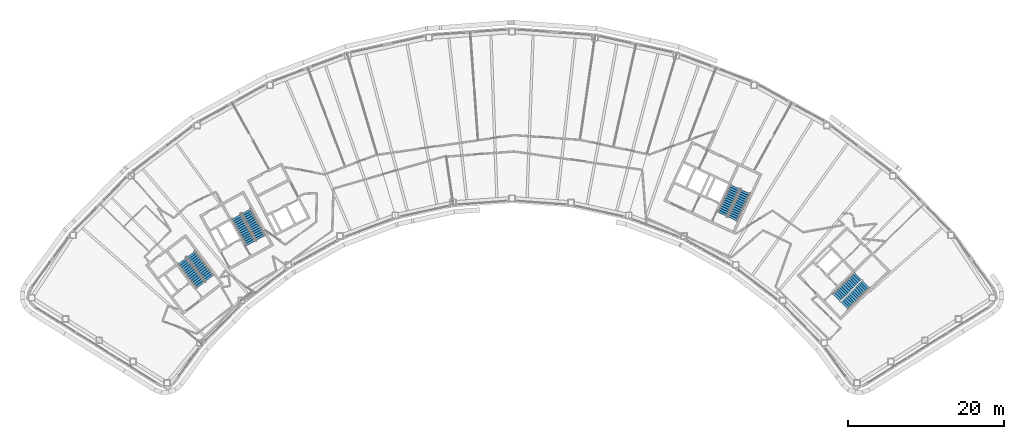
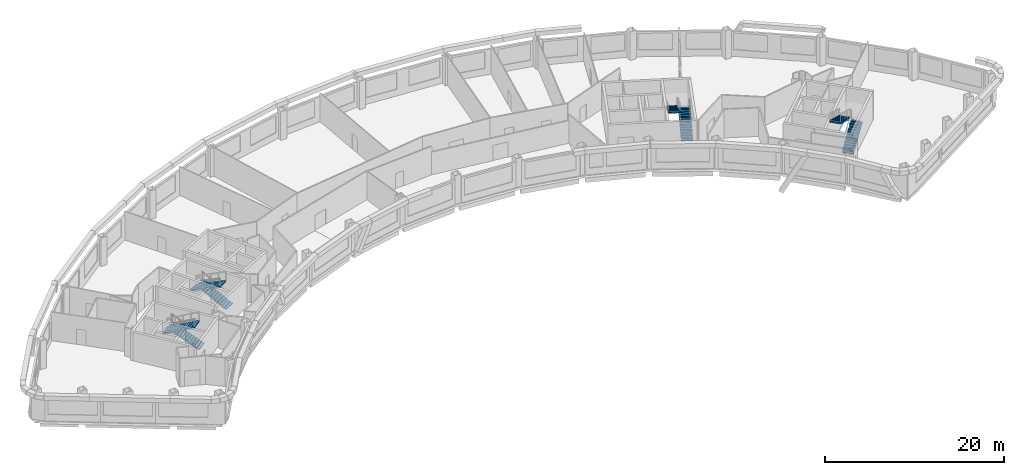
# One storey, part 11 of 13: 8 stair flights, 4 elements without a shape of their own.
"""IFC4 building model written with IfcOpenShell, lengths in metres."""

from ifc_helpers import new_model, si_unit, direction, frame, origin, place, context, subcontext, project, spatial, polyline, outline, extrude, material, type_object, element, aggregate, save


model = new_model("IFC4")

# Units and contexts
model_context = context("Model", 3, precision=1e-05, world=origin(), true_north=direction((0.0, 1.0)))
body_context = subcontext(model_context, "Body", "Model", "MODEL_VIEW")
ifc_project = project(units=[si_unit("LENGTHUNIT", "METRE"), si_unit("AREAUNIT", "SQUARE_METRE"), si_unit("VOLUMEUNIT", "CUBIC_METRE"), si_unit("PLANEANGLEUNIT", "RADIAN"), si_unit("MASSUNIT", "GRAM", prefix="KILO")], contexts=[model_context])

# Site, building, storey
site_placement = place(None, origin())
site = spatial("IfcSite", under=ifc_project, at=site_placement, CompositionType="ELEMENT")
building_placement = place(site_placement, origin())
building = spatial("IfcBuilding", under=site, at=building_placement, Name="Tuul Gate Civic Tower", CompositionType="ELEMENT")
storey_placement = place(building_placement, frame((0.0, 0.0, 230.5)))
storey = spatial("IfcBuildingStorey", under=building, at=storey_placement, Name="Level 52", CompositionType="ELEMENT", Elevation=230.5)

# Stair, stair flights
ifc_material_1 = material(Name="Concrete C40/50", Category="concrete")
stair_type = type_object("IfcStairType", Name="Exit stair", PredefinedType="HALF_TURN_STAIR", material=ifc_material_1)
stair_1_placement = place(storey_placement, origin())
stair_1 = element("IfcStair", 1, at=stair_1_placement, inside=storey, type_object=stair_type, Name="Level 52 ST-1", PredefinedType="HALF_TURN_STAIR")
ifc_material_2 = material(Name="Concrete C40/50", Category="concrete")
stair_flight_type = type_object("IfcStairFlightType", Name="Exit stair flight", PredefinedType="STRAIGHT", material=ifc_material_2)
stair_flight_1_placement = place(storey_placement, frame((-32.875244140625, -13.066650390625, 0.0), z_axis=(0.0, 0.0, 1.0), x_axis=(-0.605764474941, 0.795644016442, 0.0)))
stair_flight_1 = element("IfcStairFlight", 2, at=stair_flight_1_placement, type_object=stair_flight_type, Name="ST-1 flight 1", NumberOfRisers=14, NumberOfTreads=13, PredefinedType="STRAIGHT", RiserHeight=0.15, TreadLength=0.3, context=body_context, shape_type="SweptSolid", body=[
    extrude(outline(polyline([(0.0, 0.0), (0.0, 0.14990234375), (0.300048828125, 0.14990234375), (0.300048828125, 0.300048828125), (0.60009765625, 0.300048828125), (0.60009765625, 0.449951171875), (0.89990234375, 0.449951171875), (0.89990234375, 0.60009765625), (1.199951171875, 0.60009765625), (1.199951171875, 0.75), (1.5, 0.75), (1.5, 0.89990234375), (1.800048828125, 0.89990234375), (1.800048828125, 1.050048828125), (2.10009765625, 1.050048828125), (2.10009765625, 1.199951171875), (2.39990234375, 1.199951171875), (2.39990234375, 1.35009765625), (2.699951171875, 1.35009765625), (2.699951171875, 1.5), (3.0, 1.5), (3.0, 1.64990234375), (3.300048828125, 1.64990234375), (3.300048828125, 1.800048828125), (3.60009765625, 1.800048828125), (3.60009765625, 1.949951171875), (3.89990234375, 1.949951171875), (3.89990234375, 2.10009765625), (3.89990234375, 1.782470703125), (0.335205078125, 0.0), (0.0, 0.0)])), frame((0.0, 0.675048828125, 0.0), z_axis=(0.0, -1.0, 0.0), x_axis=(1.0, 0.0, 0.0)), (0.0, 0.0, 1.0), 1.35009765625),
])
stair_flight_2_placement = place(storey_placement, frame((-36.391357421875, -10.842041015625, 2.10009765625), z_axis=(0.0, 0.0, 1.0), x_axis=(0.605764474941, -0.795644016442, 0.0)))
stair_flight_2 = element("IfcStairFlight", 3, at=stair_flight_2_placement, type_object=stair_flight_type, Name="ST-1 flight 2", NumberOfRisers=14, NumberOfTreads=13, PredefinedType="STRAIGHT", RiserHeight=0.15, TreadLength=0.3, context=body_context, shape_type="SweptSolid", body=[
    extrude(outline(polyline([(0.0, 0.0), (0.0, 0.14990234375), (0.300048828125, 0.14990234375), (0.300048828125, 0.300048828125), (0.60009765625, 0.300048828125), (0.60009765625, 0.449951171875), (0.89990234375, 0.449951171875), (0.89990234375, 0.60009765625), (1.199951171875, 0.60009765625), (1.199951171875, 0.75), (1.5, 0.75), (1.5, 0.89990234375), (1.800048828125, 0.89990234375), (1.800048828125, 1.050048828125), (2.10009765625, 1.050048828125), (2.10009765625, 1.199951171875), (2.39990234375, 1.199951171875), (2.39990234375, 1.35009765625), (2.699951171875, 1.35009765625), (2.699951171875, 1.5), (3.0, 1.5), (3.0, 1.64990234375), (3.300048828125, 1.64990234375), (3.300048828125, 1.800048828125), (3.60009765625, 1.800048828125), (3.60009765625, 1.949951171875), (3.89990234375, 1.949951171875), (3.89990234375, 2.10009765625), (3.89990234375, 1.782470703125), (0.335205078125, 0.0), (0.0, 0.0)])), frame((0.0, 0.675048828125, 0.0), z_axis=(0.0, -1.0, 0.0), x_axis=(1.0, 0.0, 0.0)), (0.0, 0.0, 1.0), 1.35009765625),
])
aggregate(stair_1, [stair_flight_1, stair_flight_2])

stair_2_placement = place(storey_placement, origin())
stair_2 = element("IfcStair", 4, at=stair_2_placement, inside=storey, type_object=stair_type, Name="Level 52 ST-2", PredefinedType="HALF_TURN_STAIR")
stair_flight_3_placement = place(storey_placement, frame((-26.29150390625, -7.87646484375, 0.0), z_axis=(0.0, 0.0, 1.0), x_axis=(-0.484761763766, 0.874646232708, 0.0)))
stair_flight_3 = element("IfcStairFlight", 5, at=stair_flight_3_placement, type_object=stair_flight_type, Name="ST-2 flight 1", NumberOfRisers=14, NumberOfTreads=13, PredefinedType="STRAIGHT", RiserHeight=0.15, TreadLength=0.3, context=body_context, shape_type="SweptSolid", body=[
    extrude(outline(polyline([(0.0, 0.0), (0.0, 0.14990234375), (0.300048828125, 0.14990234375), (0.300048828125, 0.300048828125), (0.60009765625, 0.300048828125), (0.60009765625, 0.449951171875), (0.89990234375, 0.449951171875), (0.89990234375, 0.60009765625), (1.199951171875, 0.60009765625), (1.199951171875, 0.75), (1.5, 0.75), (1.5, 0.89990234375), (1.800048828125, 0.89990234375), (1.800048828125, 1.050048828125), (2.10009765625, 1.050048828125), (2.10009765625, 1.199951171875), (2.39990234375, 1.199951171875), (2.39990234375, 1.35009765625), (2.699951171875, 1.35009765625), (2.699951171875, 1.5), (3.0, 1.5), (3.0, 1.64990234375), (3.300048828125, 1.64990234375), (3.300048828125, 1.800048828125), (3.60009765625, 1.800048828125), (3.60009765625, 1.949951171875), (3.89990234375, 1.949951171875), (3.89990234375, 2.10009765625), (3.89990234375, 1.782470703125), (0.335205078125, 0.0), (0.0, 0.0)])), frame((0.0, 0.675048828125, 0.0), z_axis=(0.0, -1.0, 0.0), x_axis=(1.0, 0.0, 0.0)), (0.0, 0.0, 1.0), 1.35009765625),
])
stair_flight_4_placement = place(storey_placement, frame((-29.450439453125, -5.168212890625, 2.10009765625), z_axis=(0.0, 0.0, 1.0), x_axis=(0.484761763766, -0.874646232708, 0.0)))
stair_flight_4 = element("IfcStairFlight", 6, at=stair_flight_4_placement, type_object=stair_flight_type, Name="ST-2 flight 2", NumberOfRisers=14, NumberOfTreads=13, PredefinedType="STRAIGHT", RiserHeight=0.15, TreadLength=0.3, context=body_context, shape_type="SweptSolid", body=[
    extrude(outline(polyline([(0.0, 0.0), (0.0, 0.14990234375), (0.300048828125, 0.14990234375), (0.300048828125, 0.300048828125), (0.60009765625, 0.300048828125), (0.60009765625, 0.449951171875), (0.89990234375, 0.449951171875), (0.89990234375, 0.60009765625), (1.199951171875, 0.60009765625), (1.199951171875, 0.75), (1.5, 0.75), (1.5, 0.89990234375), (1.800048828125, 0.89990234375), (1.800048828125, 1.050048828125), (2.10009765625, 1.050048828125), (2.10009765625, 1.199951171875), (2.39990234375, 1.199951171875), (2.39990234375, 1.35009765625), (2.699951171875, 1.35009765625), (2.699951171875, 1.5), (3.0, 1.5), (3.0, 1.64990234375), (3.300048828125, 1.64990234375), (3.300048828125, 1.800048828125), (3.60009765625, 1.800048828125), (3.60009765625, 1.949951171875), (3.89990234375, 1.949951171875), (3.89990234375, 2.10009765625), (3.89990234375, 1.782470703125), (0.335205078125, 0.0), (0.0, 0.0)])), frame((0.0, 0.675048828125, 0.0), z_axis=(0.0, -1.0, 0.0), x_axis=(1.0, 0.0, 0.0)), (0.0, 0.0, 1.0), 1.35009765625),
])
aggregate(stair_2, [stair_flight_3, stair_flight_4])

stair_3_placement = place(storey_placement, origin())
stair_3 = element("IfcStair", 7, at=stair_3_placement, inside=storey, type_object=stair_type, Name="Level 52 ST-3", PredefinedType="HALF_TURN_STAIR")
stair_flight_5_placement = place(storey_placement, frame((48.61376953125, -16.581787109375, 0.0), z_axis=(0.0, 0.0, 1.0), x_axis=(0.714127290059, 0.700015866672, 0.0)))
stair_flight_5 = element("IfcStairFlight", 8, at=stair_flight_5_placement, type_object=stair_flight_type, Name="ST-3 flight 1", NumberOfRisers=14, NumberOfTreads=13, PredefinedType="STRAIGHT", RiserHeight=0.15, TreadLength=0.3, context=body_context, shape_type="SweptSolid", body=[
    extrude(outline(polyline([(0.0, 0.0), (0.0, 0.14990234375), (0.300048828125, 0.14990234375), (0.300048828125, 0.300048828125), (0.60009765625, 0.300048828125), (0.60009765625, 0.449951171875), (0.89990234375, 0.449951171875), (0.89990234375, 0.60009765625), (1.199951171875, 0.60009765625), (1.199951171875, 0.75), (1.5, 0.75), (1.5, 0.89990234375), (1.800048828125, 0.89990234375), (1.800048828125, 1.050048828125), (2.10009765625, 1.050048828125), (2.10009765625, 1.199951171875), (2.39990234375, 1.199951171875), (2.39990234375, 1.35009765625), (2.699951171875, 1.35009765625), (2.699951171875, 1.5), (3.0, 1.5), (3.0, 1.64990234375), (3.300048828125, 1.64990234375), (3.300048828125, 1.800048828125), (3.60009765625, 1.800048828125), (3.60009765625, 1.949951171875), (3.89990234375, 1.949951171875), (3.89990234375, 2.10009765625), (3.89990234375, 1.782470703125), (0.335205078125, 0.0), (0.0, 0.0)])), frame((0.0, 0.675048828125, 0.0), z_axis=(0.0, -1.0, 0.0), x_axis=(1.0, 0.0, 0.0)), (0.0, 0.0, 1.0), 1.35009765625),
])
stair_flight_6_placement = place(storey_placement, frame((50.3837890625, -12.816162109375, 2.10009765625), z_axis=(0.0, 0.0, 1.0), x_axis=(-0.714127290059, -0.700015866672, 0.0)))
stair_flight_6 = element("IfcStairFlight", 9, at=stair_flight_6_placement, type_object=stair_flight_type, Name="ST-3 flight 2", NumberOfRisers=14, NumberOfTreads=13, PredefinedType="STRAIGHT", RiserHeight=0.15, TreadLength=0.3, context=body_context, shape_type="SweptSolid", body=[
    extrude(outline(polyline([(0.0, 0.0), (0.0, 0.14990234375), (0.300048828125, 0.14990234375), (0.300048828125, 0.300048828125), (0.60009765625, 0.300048828125), (0.60009765625, 0.449951171875), (0.89990234375, 0.449951171875), (0.89990234375, 0.60009765625), (1.199951171875, 0.60009765625), (1.199951171875, 0.75), (1.5, 0.75), (1.5, 0.89990234375), (1.800048828125, 0.89990234375), (1.800048828125, 1.050048828125), (2.10009765625, 1.050048828125), (2.10009765625, 1.199951171875), (2.39990234375, 1.199951171875), (2.39990234375, 1.35009765625), (2.699951171875, 1.35009765625), (2.699951171875, 1.5), (3.0, 1.5), (3.0, 1.64990234375), (3.300048828125, 1.64990234375), (3.300048828125, 1.800048828125), (3.60009765625, 1.800048828125), (3.60009765625, 1.949951171875), (3.89990234375, 1.949951171875), (3.89990234375, 2.10009765625), (3.89990234375, 1.782470703125), (0.335205078125, 0.0), (0.0, 0.0)])), frame((0.0, 0.675048828125, 0.0), z_axis=(0.0, -1.0, 0.0), x_axis=(1.0, 0.0, 0.0)), (0.0, 0.0, 1.0), 1.35009765625),
])
aggregate(stair_3, [stair_flight_5, stair_flight_6])

stair_4_placement = place(storey_placement, origin())
stair_4 = element("IfcStair", 10, at=stair_4_placement, inside=storey, type_object=stair_type, Name="Level 52 ST-4", PredefinedType="HALF_TURN_STAIR")
stair_flight_7_placement = place(storey_placement, frame((34.278564453125, -5.478515625, 0.0), z_axis=(0.0, 0.0, 1.0), x_axis=(0.422576295988, 0.906327354806, 0.0)))
stair_flight_7 = element("IfcStairFlight", 11, at=stair_flight_7_placement, type_object=stair_flight_type, Name="ST-4 flight 1", NumberOfRisers=14, NumberOfTreads=13, PredefinedType="STRAIGHT", RiserHeight=0.15, TreadLength=0.3, context=body_context, shape_type="SweptSolid", body=[
    extrude(outline(polyline([(0.0, 0.0), (0.0, 0.14990234375), (0.300048828125, 0.14990234375), (0.300048828125, 0.300048828125), (0.60009765625, 0.300048828125), (0.60009765625, 0.449951171875), (0.89990234375, 0.449951171875), (0.89990234375, 0.60009765625), (1.199951171875, 0.60009765625), (1.199951171875, 0.75), (1.5, 0.75), (1.5, 0.89990234375), (1.800048828125, 0.89990234375), (1.800048828125, 1.050048828125), (2.10009765625, 1.050048828125), (2.10009765625, 1.199951171875), (2.39990234375, 1.199951171875), (2.39990234375, 1.35009765625), (2.699951171875, 1.35009765625), (2.699951171875, 1.5), (3.0, 1.5), (3.0, 1.64990234375), (3.300048828125, 1.64990234375), (3.300048828125, 1.800048828125), (3.60009765625, 1.800048828125), (3.60009765625, 1.949951171875), (3.89990234375, 1.949951171875), (3.89990234375, 2.10009765625), (3.89990234375, 1.782470703125), (0.335205078125, 0.0), (0.0, 0.0)])), frame((0.0, 0.675048828125, 0.0), z_axis=(0.0, -1.0, 0.0), x_axis=(1.0, 0.0, 0.0)), (0.0, 0.0, 1.0), 1.35009765625),
])
stair_flight_8_placement = place(storey_placement, frame((34.612548828125, -1.3310546875, 2.10009765625), z_axis=(0.0, 0.0, 1.0), x_axis=(-0.422576295988, -0.906327354806, 0.0)))
stair_flight_8 = element("IfcStairFlight", 12, at=stair_flight_8_placement, type_object=stair_flight_type, Name="ST-4 flight 2", NumberOfRisers=14, NumberOfTreads=13, PredefinedType="STRAIGHT", RiserHeight=0.15, TreadLength=0.3, context=body_context, shape_type="SweptSolid", body=[
    extrude(outline(polyline([(0.0, 0.0), (0.0, 0.14990234375), (0.300048828125, 0.14990234375), (0.300048828125, 0.300048828125), (0.60009765625, 0.300048828125), (0.60009765625, 0.449951171875), (0.89990234375, 0.449951171875), (0.89990234375, 0.60009765625), (1.199951171875, 0.60009765625), (1.199951171875, 0.75), (1.5, 0.75), (1.5, 0.89990234375), (1.800048828125, 0.89990234375), (1.800048828125, 1.050048828125), (2.10009765625, 1.050048828125), (2.10009765625, 1.199951171875), (2.39990234375, 1.199951171875), (2.39990234375, 1.35009765625), (2.699951171875, 1.35009765625), (2.699951171875, 1.5), (3.0, 1.5), (3.0, 1.64990234375), (3.300048828125, 1.64990234375), (3.300048828125, 1.800048828125), (3.60009765625, 1.800048828125), (3.60009765625, 1.949951171875), (3.89990234375, 1.949951171875), (3.89990234375, 2.10009765625), (3.89990234375, 1.782470703125), (0.335205078125, 0.0), (0.0, 0.0)])), frame((0.0, 0.675048828125, 0.0), z_axis=(0.0, -1.0, 0.0), x_axis=(1.0, 0.0, 0.0)), (0.0, 0.0, 1.0), 1.35009765625),
])
aggregate(stair_4, [stair_flight_7, stair_flight_8])

save(model, "model.ifc")
